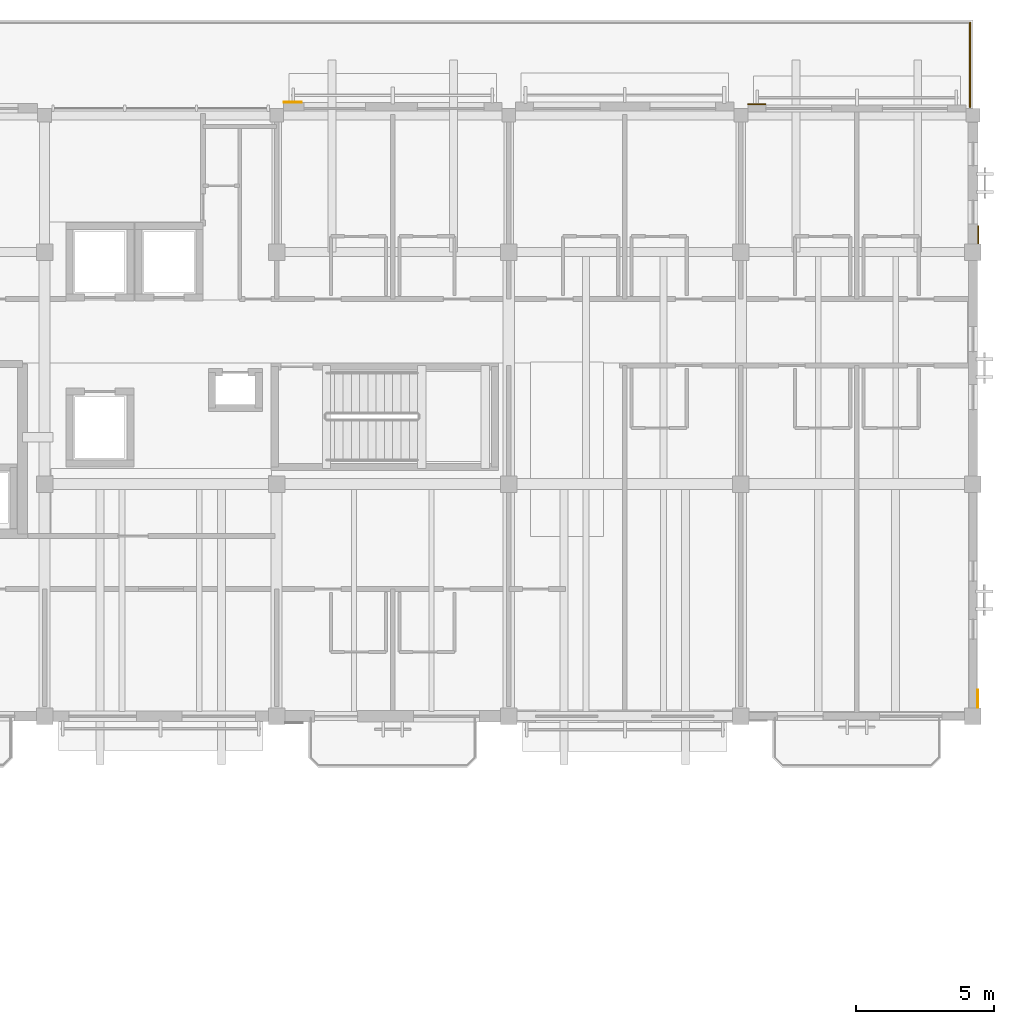
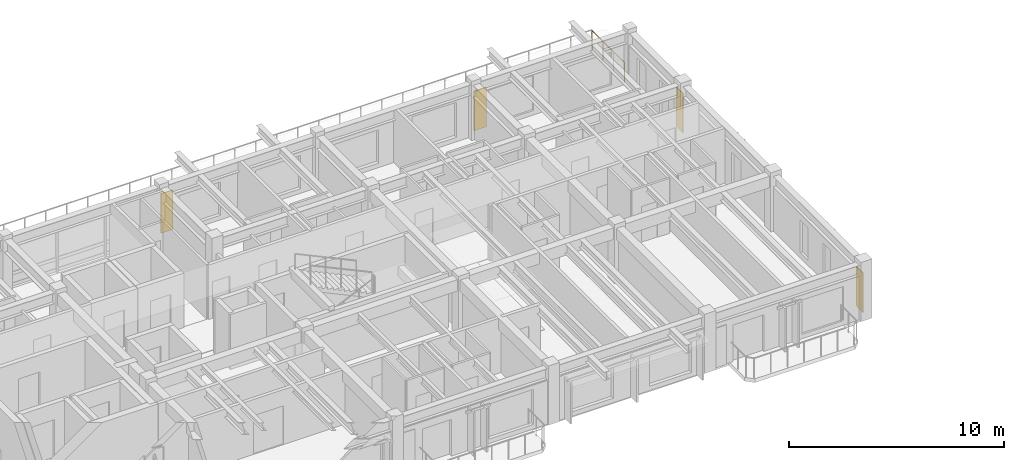
# One storey, part 22 of 22: 4 coverings, 1 railing.
"""IFC4 building model written with IfcOpenShell, lengths in metres."""

from ifc_helpers import new_model, si_unit, direction, frame, origin, origin_2d, place, context, subcontext, project, spatial, polyline, circle, outline, extrude, material, layer, layer_set, type_object, element, save


model = new_model("IFC4")

# Units and contexts
model_context = context("Model", 3, precision=1e-05, world=origin(), true_north=direction((0.0, 1.0)))
body_context = subcontext(model_context, "Body", "Model", "MODEL_VIEW")
ifc_project = project(units=[si_unit("LENGTHUNIT", "METRE"), si_unit("AREAUNIT", "SQUARE_METRE"), si_unit("VOLUMEUNIT", "CUBIC_METRE"), si_unit("PLANEANGLEUNIT", "RADIAN"), si_unit("MASSUNIT", "GRAM", prefix="KILO")], contexts=[model_context])

# Site, building, storey
site_placement = place(None, origin())
site = spatial("IfcSite", under=ifc_project, at=site_placement, CompositionType="ELEMENT")
building_placement = place(site_placement, origin())
building = spatial("IfcBuilding", under=site, at=building_placement, Name="Cumbredor Promenade Congress Hotel", CompositionType="ELEMENT")
storey_placement = place(building_placement, frame((0.0, 0.0, 28.56005859375)))
storey = spatial("IfcBuildingStorey", under=building, at=storey_placement, Name="L08", CompositionType="ELEMENT", Elevation=28.56005859375)

# Coverings
ifc_material_1 = material(Name="Precast concrete C40/50", Category="concrete")
ifc_layer_1 = layer(ifc_material_1, 0.044921875, Name="Precast concrete C40/50", Category="concrete")
ifc_layer_set_1 = layer_set([ifc_layer_1], Name="Precast concrete C40/50")
covering_type_1 = type_object("IfcCoveringType", Name="Board-Formed Architectural Cladding Panel 45mm", PredefinedType="CLADDING", material=ifc_layer_set_1)
covering_1_placement = place(storey_placement, origin())
element("IfcCovering", 1, at=covering_1_placement, inside=storey, type_object=covering_type_1, Name="L08 Facade Stone Cladding Pier 238", PredefinedType="CLADDING", context=body_context, shape_type="SweptSolid", body=[
    extrude(outline(polyline([(59.051025390625, 114.530029296875), (59.700927734375, 114.530029296875), (59.700927734375, 114.574951171875), (59.051025390625, 114.574951171875), (59.051025390625, 114.530029296875)])), origin(), (0.0, 0.0, 1.0), 2.25),
])
covering_2_placement = place(storey_placement, origin())
element("IfcCovering", 2, at=covering_2_placement, inside=storey, type_object=covering_type_1, Name="L08 Facade Stone Cladding Pier 242", PredefinedType="CLADDING", context=body_context, shape_type="SweptSolid", body=[
    extrude(outline(polyline([(67.375, 109.5009765625), (67.375, 110.15087890625), (67.419921875, 110.15087890625), (67.419921875, 109.5009765625), (67.375, 109.5009765625)])), origin(), (0.0, 0.0, 1.0), 2.25),
])

# Railing
ifc_material_2 = material(Name="Brushed stainless steel", Category="steel")
railing_type = type_object("IfcRailingType", Name="Terrace Perimeter Balustrade BAL-1120", PredefinedType="BALUSTRADE", material=ifc_material_2)
railing_placement = place(storey_placement, frame((67.10009765625, 114.449951171875, 0.0)))
element("IfcRailing", 3, at=railing_placement, inside=storey, type_object=railing_type, Name="L08 Hotel Step 3 North Cordillera Veranda Balustrade 77", PredefinedType="BALUSTRADE", context=body_context, shape_type="SweptSolid", body=[
    extrude(circle(Radius=0.02392578125, at=origin_2d()), frame((0.0, 0.0, 1.09619140625), z_axis=(0.0, 1.0, 0.0), x_axis=(-1.0, 0.0, 0.0)), (0.0, 0.0, 1.0), 3.050048828125),
    extrude(circle(Radius=0.02099609375, at=origin_2d()), origin(), (0.0, 0.0, 1.0), 1.072021484375),
    extrude(circle(Radius=0.02099609375, at=origin_2d()), frame((0.0, 1.0166015625, 0.0)), (0.0, 0.0, 1.0), 1.072021484375),
    extrude(circle(Radius=0.02099609375, at=origin_2d()), frame((0.0, 2.033447265625, 0.0)), (0.0, 0.0, 1.0), 1.072021484375),
    extrude(circle(Radius=0.02099609375, at=origin_2d()), frame((0.0, 3.050048828125, 0.0)), (0.0, 0.0, 1.0), 1.072021484375),
])

# Coverings
ifc_material_3 = material(Name="Volcanic andesite ashlar cladding", Category="masonry")
ifc_layer_2 = layer(ifc_material_3, 0.034912109375, Name="Volcanic andesite ashlar cladding", Category="masonry")
ifc_layer_set_2 = layer_set([ifc_layer_2], Name="Volcanic andesite ashlar cladding")
covering_type_2 = type_object("IfcCoveringType", Name="Volcanic Andesite Ashlar Rainscreen Cladding 35mm", PredefinedType="CLADDING", material=ifc_layer_set_2)
covering_3_placement = place(storey_placement, origin())
element("IfcCovering", 4, at=covering_3_placement, inside=storey, type_object=covering_type_2, Name="L08 Facade Stone Cladding Pier 237", PredefinedType="CLADDING", context=body_context, shape_type="SweptSolid", body=[
    extrude(outline(polyline([(42.2509765625, 114.612548828125), (42.90087890625, 114.612548828125), (42.90087890625, 114.6474609375), (42.2509765625, 114.6474609375), (42.2509765625, 114.612548828125)])), origin(), (0.0, 0.0, 1.0), 2.25),
])
covering_4_placement = place(storey_placement, origin())
element("IfcCovering", 5, at=covering_4_placement, inside=storey, type_object=covering_type_2, Name="L08 Facade Stone Cladding Pier 241", PredefinedType="CLADDING", context=body_context, shape_type="SweptSolid", body=[
    extrude(outline(polyline([(67.35009765625, 92.700927734375), (67.35009765625, 93.35107421875), (67.385009765625, 93.35107421875), (67.385009765625, 92.700927734375), (67.35009765625, 92.700927734375)])), origin(), (0.0, 0.0, 1.0), 2.25),
])

save(model, "model.ifc")
